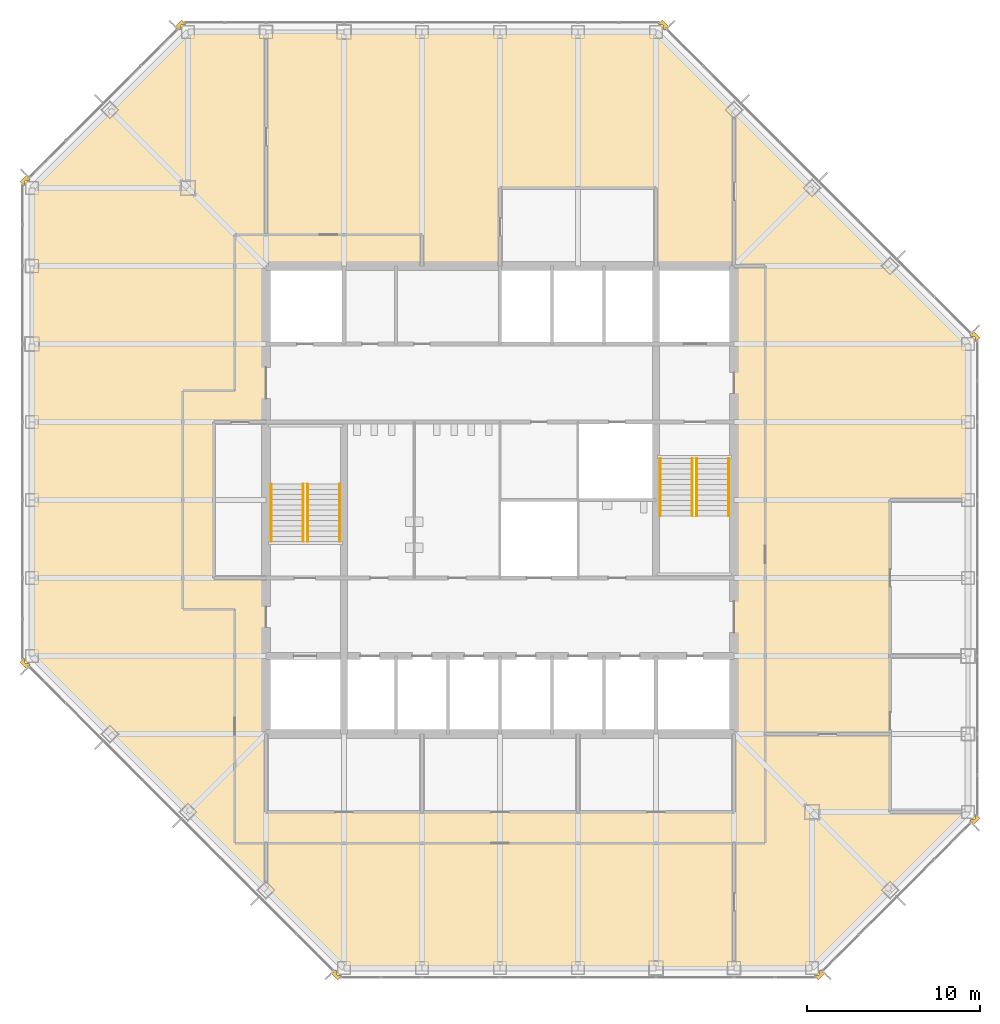
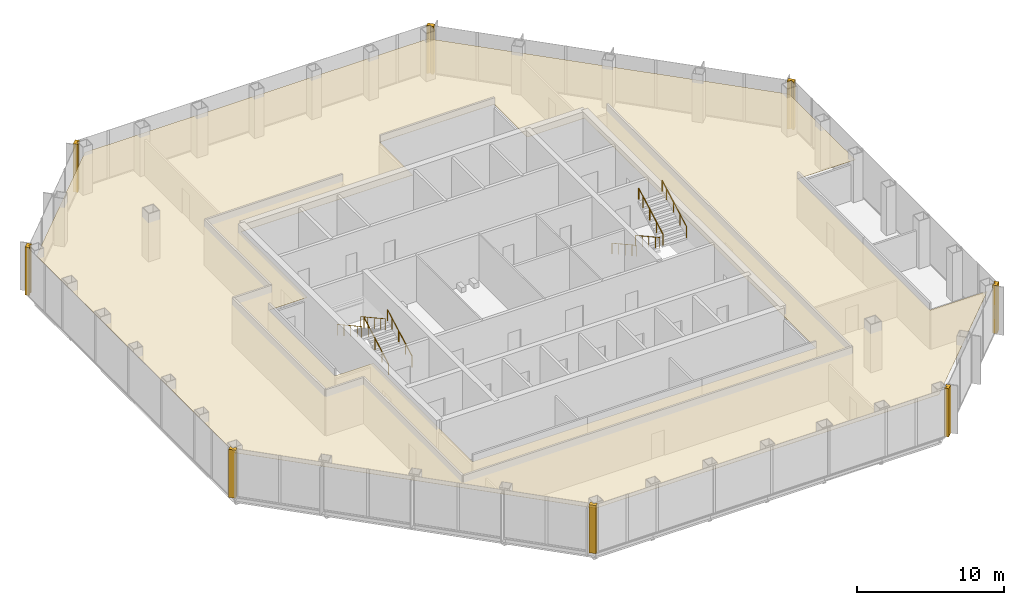
# One storey, part 11 of 12: 9 coverings, 8 railings.
"""IFC4 building model written with IfcOpenShell, lengths in metres."""

from ifc_helpers import new_model, si_unit, direction, frame, origin, origin_2d, place, context, subcontext, project, spatial, polyline, circle, outline, extrude, material, layer, layer_set, type_object, element, save


model = new_model("IFC4")

# Units and contexts
model_context = context("Model", 3, precision=1e-05, world=origin(), true_north=direction((0.0, 1.0)))
body_context = subcontext(model_context, "Body", "Model", "MODEL_VIEW")
ifc_project = project(units=[si_unit("LENGTHUNIT", "METRE"), si_unit("AREAUNIT", "SQUARE_METRE"), si_unit("VOLUMEUNIT", "CUBIC_METRE"), si_unit("PLANEANGLEUNIT", "RADIAN"), si_unit("MASSUNIT", "GRAM", prefix="KILO")], contexts=[model_context])

# Site, building, storey
site_placement = place(None, origin())
site = spatial("IfcSite", under=ifc_project, at=site_placement, CompositionType="ELEMENT")
building_placement = place(site_placement, origin())
building = spatial("IfcBuilding", under=site, at=building_placement, Name="Corais Broadcast Tower", CompositionType="ELEMENT")
storey_placement = place(building_placement, frame((0.0, 0.0, 135.60009765625)))
storey = spatial("IfcBuildingStorey", under=building, at=storey_placement, Name="L30", CompositionType="ELEMENT", Elevation=135.60009765625)

# Railings
ifc_material_1 = material(Name="Stainless steel handrail", Category="steel")
railing_type = type_object("IfcRailingType", Name="Handrail 920", PredefinedType="HANDRAIL", material=ifc_material_1)
for number, where, name in (
    (1, (17.75, 24.60009765625, 0.16650390625), "HR1 L30"),
    (2, (15.89990234375, 24.60009765625, 0.16650390625), "HR1 L30"),
):
    element("IfcRailing", number, at=place(storey_placement, frame(where)), inside=storey, type_object=railing_type, Name=name, PredefinedType="HANDRAIL", context=body_context, shape_type="SweptSolid", body=[
        extrude(circle(Radius=0.02392578125, at=origin_2d()), frame((0.0, 0.0, 0.89599609375), z_axis=(0.0, 0.875504475178, 0.483210010185), x_axis=(-1.0, 0.0, 0.0)), (0.0, 0.0, 1.0), 3.79443359375),
        extrude(circle(Radius=0.02099609375, at=origin_2d()), origin(), (0.0, 0.0, 1.0), 0.871826171875),
        extrude(circle(Radius=0.02099609375, at=origin_2d()), frame((0.0, 0.906005859375, 0.5)), (0.0, 0.0, 1.0), 0.871826171875),
        extrude(circle(Radius=0.02099609375, at=origin_2d()), frame((0.0, 1.81201171875, 1.0)), (0.0, 0.0, 1.0), 0.871826171875),
        extrude(circle(Radius=0.02099609375, at=origin_2d()), frame((0.0, 2.718017578125, 1.500244140625)), (0.0, 0.0, 1.0), 0.871826171875),
        extrude(circle(Radius=0.02099609375, at=origin_2d()), frame((0.0, 3.322021484375, 1.83349609375)), (0.0, 0.0, 1.0), 0.871826171875),
    ])
for number, where, name in (
    (3, (13.800048828125, 27.922119140625, 2.16650390625), "HR1 L30"),
    (4, (15.64990234375, 27.922119140625, 2.16650390625), "HR1 L30"),
    (5, (36.25, 29.39990234375, 0.16650390625), "HR1 L30"),
    (6, (38.10009765625, 29.39990234375, 0.16650390625), "HR1 L30"),
):
    element("IfcRailing", number, at=place(storey_placement, frame(where)), inside=storey, type_object=railing_type, Name=name, PredefinedType="HANDRAIL", context=body_context, shape_type="SweptSolid", body=[
        extrude(circle(Radius=0.02392578125, at=origin_2d()), frame((0.0, 0.0, 0.89599609375), z_axis=(0.0, -0.875504475178, 0.483210010185), x_axis=(1.0, 0.0, 0.0)), (0.0, 0.0, 1.0), 3.79443359375),
        extrude(circle(Radius=0.02099609375, at=origin_2d()), origin(), (0.0, 0.0, 1.0), 0.871826171875),
        extrude(circle(Radius=0.02099609375, at=origin_2d()), frame((0.0, -0.906005859375, 0.5)), (0.0, 0.0, 1.0), 0.871826171875),
        extrude(circle(Radius=0.02099609375, at=origin_2d()), frame((0.0, -1.81201171875, 1.0)), (0.0, 0.0, 1.0), 0.871826171875),
        extrude(circle(Radius=0.02099609375, at=origin_2d()), frame((0.0, -2.718017578125, 1.500244140625)), (0.0, 0.0, 1.0), 0.871826171875),
        extrude(circle(Radius=0.02099609375, at=origin_2d()), frame((0.0, -3.322021484375, 1.83349609375)), (0.0, 0.0, 1.0), 0.871826171875),
    ])
for number, where, name in (
    (7, (40.199951171875, 26.077880859375, 2.16650390625), "HR1 L30"),
    (8, (38.35009765625, 26.077880859375, 2.16650390625), "HR1 L30"),
):
    element("IfcRailing", number, at=place(storey_placement, frame(where)), inside=storey, type_object=railing_type, Name=name, PredefinedType="HANDRAIL", context=body_context, shape_type="SweptSolid", body=[
        extrude(circle(Radius=0.02392578125, at=origin_2d()), frame((0.0, 0.0, 0.89599609375), z_axis=(0.0, 0.875504475178, 0.483210010185), x_axis=(-1.0, 0.0, 0.0)), (0.0, 0.0, 1.0), 3.79443359375),
        extrude(circle(Radius=0.02099609375, at=origin_2d()), origin(), (0.0, 0.0, 1.0), 0.871826171875),
        extrude(circle(Radius=0.02099609375, at=origin_2d()), frame((0.0, 0.906005859375, 0.5)), (0.0, 0.0, 1.0), 0.871826171875),
        extrude(circle(Radius=0.02099609375, at=origin_2d()), frame((0.0, 1.81201171875, 1.0)), (0.0, 0.0, 1.0), 0.871826171875),
        extrude(circle(Radius=0.02099609375, at=origin_2d()), frame((0.0, 2.718017578125, 1.500244140625)), (0.0, 0.0, 1.0), 0.871826171875),
        extrude(circle(Radius=0.02099609375, at=origin_2d()), frame((0.0, 3.322021484375, 1.83349609375)), (0.0, 0.0, 1.0), 0.871826171875),
    ])

# Coverings
ifc_material_2 = material(Name="Granite stone cladding", Category="masonry")
ifc_layer_1 = layer(ifc_material_2, 0.324951171875)
ifc_layer_set_1 = layer_set([ifc_layer_1], Name="Granite stone cladding")
covering_type_1 = type_object("IfcCoveringType", Name="Stone corner pier cladding 500x325", PredefinedType="CLADDING", material=ifc_layer_set_1)
covering_1_placement = place(storey_placement, origin())
element("IfcCovering", 9, at=covering_1_placement, inside=storey, type_object=covering_type_1, Name="SP1 stone corner pier L30", PredefinedType="CLADDING", context=body_context, shape_type="SweptSolid", body=[
    extrude(outline(polyline([(17.860595703125, -0.461669921875), (17.799072265625, -0.39990234375), (17.60009765625, -0.39990234375), (17.60009765625, -0.200927734375), (17.507080078125, -0.108154296875), (17.277099609375, -0.337890625), (17.630859375, -0.69140625), (17.860595703125, -0.461669921875)])), origin(), (0.0, 0.0, 1.0), 4.0),
])
covering_2_placement = place(storey_placement, origin())
element("IfcCovering", 10, at=covering_2_placement, inside=storey, type_object=covering_type_1, Name="SP1 stone corner pier L30", PredefinedType="CLADDING", context=body_context, shape_type="SweptSolid", body=[
    extrude(outline(polyline([(-0.39990234375, 17.799072265625), (-0.461669921875, 17.860595703125), (-0.69140625, 17.630859375), (-0.337890625, 17.277099609375), (-0.108154296875, 17.507080078125), (-0.200927734375, 17.60009765625), (-0.39990234375, 17.60009765625), (-0.39990234375, 17.799072265625)])), origin(), (0.0, 0.0, 1.0), 4.0),
])
covering_3_placement = place(storey_placement, origin())
element("IfcCovering", 11, at=covering_3_placement, inside=storey, type_object=covering_type_1, Name="SP1 stone corner pier L30", PredefinedType="CLADDING", context=body_context, shape_type="SweptSolid", body=[
    extrude(outline(polyline([(-0.461669921875, 45.139404296875), (-0.39990234375, 45.200927734375), (-0.39990234375, 45.39990234375), (-0.200927734375, 45.39990234375), (-0.108154296875, 45.492919921875), (-0.337890625, 45.722900390625), (-0.69140625, 45.369140625), (-0.461669921875, 45.139404296875)])), origin(), (0.0, 0.0, 1.0), 4.0),
])
covering_4_placement = place(storey_placement, origin())
element("IfcCovering", 12, at=covering_4_placement, inside=storey, type_object=covering_type_1, Name="SP1 stone corner pier L30", PredefinedType="CLADDING", context=body_context, shape_type="SweptSolid", body=[
    extrude(outline(polyline([(8.799072265625, 54.39990234375), (8.860595703125, 54.461669921875), (8.630859375, 54.69140625), (8.277099609375, 54.337890625), (8.507080078125, 54.108154296875), (8.60009765625, 54.200927734375), (8.60009765625, 54.39990234375), (8.799072265625, 54.39990234375)])), origin(), (0.0, 0.0, 1.0), 4.0),
])
covering_5_placement = place(storey_placement, origin())
element("IfcCovering", 13, at=covering_5_placement, inside=storey, type_object=covering_type_1, Name="SP1 stone corner pier L30", PredefinedType="CLADDING", context=body_context, shape_type="SweptSolid", body=[
    extrude(outline(polyline([(36.139404296875, 54.461669921875), (36.200927734375, 54.39990234375), (36.39990234375, 54.39990234375), (36.39990234375, 54.200927734375), (36.492919921875, 54.108154296875), (36.722900390625, 54.337890625), (36.369140625, 54.69140625), (36.139404296875, 54.461669921875)])), origin(), (0.0, 0.0, 1.0), 4.0),
])
covering_6_placement = place(storey_placement, origin())
element("IfcCovering", 14, at=covering_6_placement, inside=storey, type_object=covering_type_1, Name="SP1 stone corner pier L30", PredefinedType="CLADDING", context=body_context, shape_type="SweptSolid", body=[
    extrude(outline(polyline([(54.39990234375, 36.200927734375), (54.461669921875, 36.139404296875), (54.69140625, 36.369140625), (54.337890625, 36.722900390625), (54.108154296875, 36.492919921875), (54.200927734375, 36.39990234375), (54.39990234375, 36.39990234375), (54.39990234375, 36.200927734375)])), origin(), (0.0, 0.0, 1.0), 4.0),
])
covering_7_placement = place(storey_placement, origin())
element("IfcCovering", 15, at=covering_7_placement, inside=storey, type_object=covering_type_1, Name="SP1 stone corner pier L30", PredefinedType="CLADDING", context=body_context, shape_type="SweptSolid", body=[
    extrude(outline(polyline([(54.461669921875, 8.860595703125), (54.39990234375, 8.799072265625), (54.39990234375, 8.60009765625), (54.200927734375, 8.60009765625), (54.108154296875, 8.507080078125), (54.337890625, 8.277099609375), (54.69140625, 8.630859375), (54.461669921875, 8.860595703125)])), origin(), (0.0, 0.0, 1.0), 4.0),
])
covering_8_placement = place(storey_placement, origin())
element("IfcCovering", 16, at=covering_8_placement, inside=storey, type_object=covering_type_1, Name="SP1 stone corner pier L30", PredefinedType="CLADDING", context=body_context, shape_type="SweptSolid", body=[
    extrude(outline(polyline([(45.200927734375, -0.39990234375), (45.139404296875, -0.461669921875), (45.369140625, -0.69140625), (45.722900390625, -0.337890625), (45.492919921875, -0.108154296875), (45.39990234375, -0.200927734375), (45.39990234375, -0.39990234375), (45.200927734375, -0.39990234375)])), origin(), (0.0, 0.0, 1.0), 4.0),
])
ifc_material_3 = material(Name="Mineral fibre ceiling tile", Category="mineral")
ifc_layer_2 = layer(ifc_material_3, 0.02001953125)
ifc_layer_set_2 = layer_set([ifc_layer_2], Name="Mineral fibre ceiling tile")
covering_type_2 = type_object("IfcCoveringType", Name="Suspended ceiling", PredefinedType="CEILING", material=ifc_layer_set_2)
covering_9_placement = place(storey_placement, frame((0.0, 0.0, 3.219970703125)))
element("IfcCovering", 17, at=covering_9_placement, inside=storey, type_object=covering_type_2, Name="CE1 ceiling L30", PredefinedType="CEILING", context=body_context, shape_type="SweptSolid", body=[
    extrude(outline(polyline([(49.5, 9.0), (54.0, 9.0), (45.0, 0.0), (18.0, 0.0), (13.501708984375, 4.498291015625), (13.499755859375, 4.500244140625), (0.0, 18.0), (0.0, 45.0), (9.0, 54.0), (36.0, 54.0), (54.0, 36.0), (54.0, 27.0), (49.5, 27.0), (49.5, 9.0)]), holes=[polyline([(13.5, 40.5), (13.5, 31.5), (10.5, 31.5), (10.5, 22.5), (13.5, 22.5), (13.5, 9.0), (40.5, 9.0), (40.5, 40.5), (36.0, 40.5), (36.0, 45.0), (27.0, 45.0), (27.0, 40.5), (13.5, 40.5)])]), origin(), (0.0, 0.0, 1.0), 0.02001953125),
])

save(model, "model.ifc")
